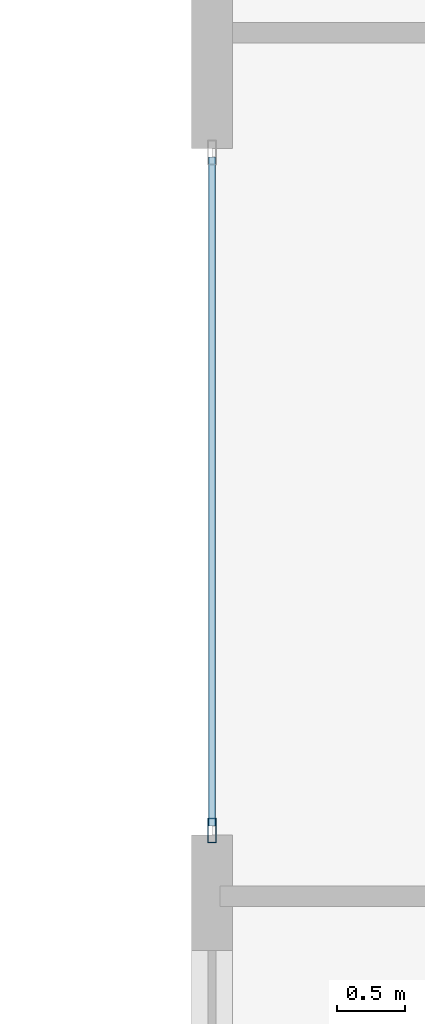
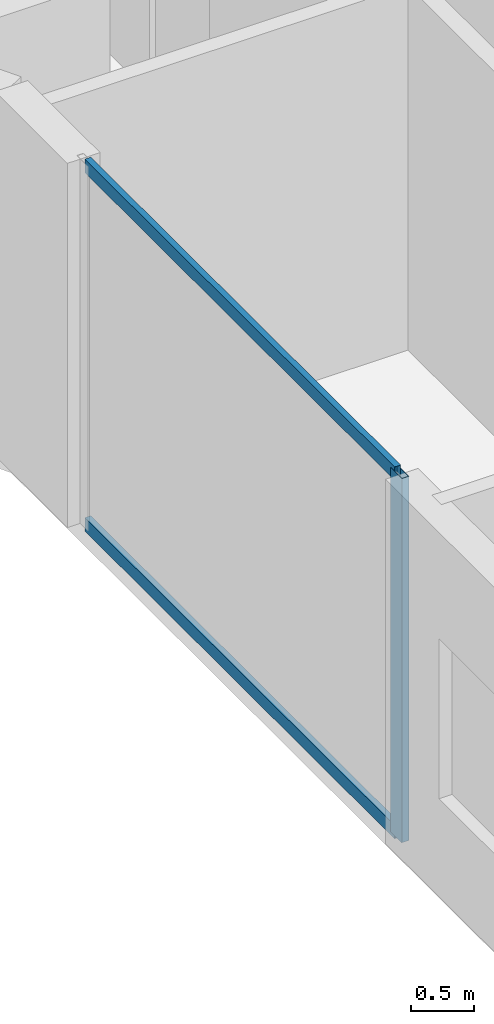
# One storey, part 4 of 32: 3 members, 1 element without a shape of its own.
"""IFC4 building model written with IfcOpenShell, lengths in metres."""

import ifcopenshell
import ifcopenshell.guid

model = None  # the IFC model being written
_history = None  # IfcOwnerHistory: only IFC2X3 demands one
_inside = {}  # id of a spatial element -> (the spatial element, [elements in it])
_under = {}  # id of a project, library or spatial element -> (it, [spatial elements below it])
_declared = {}  # id of a project -> (the project, [libraries it declares])
_typed = {}  # id of a type object -> (the type object, [elements of that type])
_made_of = {}  # id of a material, layer set ... -> (it, [elements and type objects made of it])


def new_model(schema):
    """Start an empty IFC model of exactly this schema.

    Asked for "IFC4X3", IfcOpenShell would pick the latest addendum, in which some entities
    have other attributes; the version numbers below select the first issue.
    IFC2X3 requires an IfcOwnerHistory on every rooted entity: one is made here for all.
    """
    global model, _history
    if schema == "IFC4X3":
        model = ifcopenshell.file(schema_version=(4, 3, 0, 0))
    else:
        model = ifcopenshell.file(schema=schema)
    _inside.clear()
    _under.clear()
    _declared.clear()
    _typed.clear()
    _made_of.clear()
    _history = None
    if model.schema == "IFC2X3":
        org = make("IfcOrganization", Name="unknown")
        user = make(
            "IfcPersonAndOrganization",
            ThePerson=make("IfcPerson", FamilyName="unknown"),
            TheOrganization=org,
        )
        app = make(
            "IfcApplication",
            ApplicationDeveloper=org,
            Version="unknown",
            ApplicationFullName="unknown",
            ApplicationIdentifier="unknown",
        )
        _history = make(
            "IfcOwnerHistory",
            OwningUser=user,
            OwningApplication=app,
            ChangeAction="ADDED",
            CreationDate=0,
        )
    return model


def make(cls, **values):
    """One entity of the class cls with the attributes given. An attribute that is None is left unset."""
    return model.create_entity(
        cls, **{name: value for name, value in values.items() if value is not None}
    )


def rooted(cls, **values):
    """An entity with a GlobalId (a new one), such as an element, a storey or a relation."""
    return make(cls, GlobalId=ifcopenshell.guid.new(), OwnerHistory=_history, **values)


def si_unit(unit_type, name, prefix=None):
    """IfcSIUnit, for example si_unit("LENGTHUNIT", "METRE", prefix="MILLI")."""
    return make("IfcSIUnit", UnitType=unit_type, Prefix=prefix, Name=name)


def assignment(units):
    """IfcUnitAssignment: the units of a project."""
    return None if units is None else make("IfcUnitAssignment", Units=units)


def point(xyz):
    """IfcCartesianPoint."""
    return None if xyz is None else make("IfcCartesianPoint", Coordinates=xyz)


def direction(xyz):
    """IfcDirection."""
    return None if xyz is None else make("IfcDirection", DirectionRatios=xyz)


def frame(location, z_axis=None, x_axis=None):
    """IfcAxis2Placement3D, a coordinate frame: its origin and axes. An axis left out is left unset."""
    return make(
        "IfcAxis2Placement3D",
        Location=point(location),
        Axis=direction(z_axis),
        RefDirection=direction(x_axis),
    )


def frame_2d(location, x_axis=None):
    """IfcAxis2Placement2D, a coordinate frame in the plane: its origin and x axis."""
    return make(
        "IfcAxis2Placement2D", Location=point(location), RefDirection=direction(x_axis)
    )


def origin():
    """The frame at (0, 0, 0) with its axes left unset."""
    return frame((0.0, 0.0, 0.0))


def origin_2d():
    """The frame at (0, 0) in the plane with its x axis left unset."""
    return frame_2d((0.0, 0.0))


def place(relative_to, where):
    """IfcLocalPlacement: puts the frame where relative to a parent placement (None: the world)."""
    return make(
        "IfcLocalPlacement", PlacementRelTo=relative_to, RelativePlacement=where
    )


def context(
    kind, dimensions, precision=None, world=None, true_north=None, identifier=None
):
    """IfcGeometricRepresentationContext, for example the 3D "Model" context."""
    return make(
        "IfcGeometricRepresentationContext",
        ContextIdentifier=identifier,
        ContextType=kind,
        CoordinateSpaceDimension=dimensions,
        Precision=precision,
        WorldCoordinateSystem=world,
        TrueNorth=true_north,
    )


def subcontext(parent, identifier, kind, view, scale=None):
    """IfcGeometricRepresentationSubContext, for example "Body" below "Model"."""
    return make(
        "IfcGeometricRepresentationSubContext",
        ContextIdentifier=identifier,
        ContextType=kind,
        ParentContext=parent,
        TargetScale=scale,
        TargetView=view,
    )


def project(units=None, contexts=None):
    """IfcProject with its units and contexts."""
    return rooted(
        "IfcProject",
        Name="project",
        RepresentationContexts=contexts,
        UnitsInContext=assignment(units),
    )


def spatial(cls, under=None, at=None, **own):
    """A site, building, storey or space (cls), placed at a placement, below another one or the project."""
    s = rooted(cls, ObjectPlacement=at, **own)
    if under is not None:
        _under.setdefault(under.id(), (under, []))[1].append(s)
    return s


def profile(cls, at=None, kind="AREA", **sizes):
    """A parametric profile (cls). Its sizes go by their IFC names, for example OverallWidth=200.0."""
    return make(cls, ProfileType=kind, Position=at, **sizes)


def hollow_rectangle(**sizes):
    """IfcRectangleHollowProfileDef."""
    return profile("IfcRectangleHollowProfileDef", **sizes)


def extrude(swept, where, along, depth):
    """IfcExtrudedAreaSolid: the profile swept, set in the frame where, extruded along a direction by depth."""
    return make(
        "IfcExtrudedAreaSolid",
        SweptArea=swept,
        Position=where,
        ExtrudedDirection=direction(along),
        Depth=depth,
    )


def shape(context_of_items, identifier, shape_type, items):
    """IfcShapeRepresentation: the items that make up one representation, for example the "Body"."""
    return make(
        "IfcShapeRepresentation",
        ContextOfItems=context_of_items,
        RepresentationIdentifier=identifier,
        RepresentationType=shape_type,
        Items=items,
    )


def material(Name=None, Category=None):
    """IfcMaterial."""
    return make("IfcMaterial", Name=Name, Category=Category)


def layer(
    of_material, thickness, ventilated=None, Name=None, Category=None, Priority=None
):
    """IfcMaterialLayer: one layer of a wall or slab, of a material (None: an air gap)."""
    return make(
        "IfcMaterialLayer",
        Material=of_material,
        LayerThickness=thickness,
        IsVentilated=ventilated,
        Name=Name,
        Category=Category,
        Priority=Priority,
    )


def layer_set(layers, Name=None):
    """IfcMaterialLayerSet."""
    return make("IfcMaterialLayerSet", MaterialLayers=layers, LayerSetName=Name)


def material_profile(
    of_material, cross_section, Name=None, Category=None, Priority=None
):
    """IfcMaterialProfile: a cross section and its material."""
    return make(
        "IfcMaterialProfile",
        Name=Name,
        Material=of_material,
        Profile=cross_section,
        Priority=Priority,
        Category=Category,
    )


def profile_set(profiles, Name=None, composite=None):
    """IfcMaterialProfileSet."""
    return make(
        "IfcMaterialProfileSet",
        Name=Name,
        MaterialProfiles=profiles,
        CompositeProfile=composite,
    )


def made_of(thing, what):
    """Note that an element or type object is made of a material, layer set ...; save() writes the relation."""
    if what is not None:
        _made_of.setdefault(what.id(), (what, []))[1].append(thing)
    return thing


def type_object(cls, material=None, **own):
    """A type object (cls), such as IfcWallType, which elements share."""
    return made_of(rooted(cls, **own), material)


def element(
    cls,
    number,
    at=None,
    inside=None,
    cuts=None,
    type_object=None,
    material=None,
    context=None,
    identifier="Body",
    shape_type=None,
    held_by="IfcProductDefinitionShape",
    body=None,
    shapes=None,
    **own,
):
    """One element of the class cls, such as IfcWall. Its Tag is "e" and its number.

    at: its placement. inside: the storey or other place that contains it. cuts: it is an
    opening in that element (IfcRelVoidsElement). A single representation is given by context,
    identifier, shape_type and body (its items); several are given by shapes. held_by: the class
    of the entity that holds the representations. save() writes the other relations.
    """
    e = rooted(cls, Tag="e%d" % number, ObjectPlacement=at, **own)
    if body is not None:
        shapes = [shape(context, identifier, shape_type, body)]
    if shapes is not None:
        e.Representation = make(held_by, Representations=shapes)
    if inside is not None:
        _inside.setdefault(inside.id(), (inside, []))[1].append(e)
    if cuts is not None:
        rooted(
            "IfcRelVoidsElement", RelatingBuildingElement=cuts, RelatedOpeningElement=e
        )
    if type_object is not None:
        _typed.setdefault(type_object.id(), (type_object, []))[1].append(e)
    return made_of(e, material)


def aggregate(whole, parts):
    """IfcRelAggregates: a whole, such as a stair, and the parts it consists of."""
    return rooted("IfcRelAggregates", RelatingObject=whole, RelatedObjects=parts)


def save(model, path):
    """Write the relations noted so far, then the file.

    IfcRelAggregates (storeys below a building ...), IfcRelContainedInSpatialStructure (elements
    in a storey), IfcRelDefinesByType, IfcRelAssociatesMaterial and IfcRelDeclares: one each for
    every whole, place, type object, material and project.
    """
    for whole, parts in _under.values():
        aggregate(whole, parts)
    for where, things in _inside.values():
        rooted(
            "IfcRelContainedInSpatialStructure",
            RelatedElements=things,
            RelatingStructure=where,
        )
    for kind, things in _typed.values():
        rooted("IfcRelDefinesByType", RelatedObjects=things, RelatingType=kind)
    for what, things in _made_of.values():
        rooted("IfcRelAssociatesMaterial", RelatedObjects=things, RelatingMaterial=what)
    for by, libraries in _declared.values():
        rooted("IfcRelDeclares", RelatingContext=by, RelatedDefinitions=libraries)
    model.write(path)


model = new_model("IFC4")

# Units and contexts
model_context = context("Model", 3, precision=1e-05, world=origin(), true_north=direction((0.0, 1.0)))
body_context = subcontext(model_context, "Body", "Model", "MODEL_VIEW")
ifc_project = project(units=[si_unit("LENGTHUNIT", "METRE"), si_unit("AREAUNIT", "SQUARE_METRE"), si_unit("VOLUMEUNIT", "CUBIC_METRE"), si_unit("PLANEANGLEUNIT", "RADIAN"), si_unit("MASSUNIT", "GRAM", prefix="KILO")], contexts=[model_context])

# Site, building, storey
site_placement = place(None, origin())
site = spatial("IfcSite", under=ifc_project, at=site_placement, CompositionType="ELEMENT")
building_placement = place(site_placement, origin())
building = spatial("IfcBuilding", under=site, at=building_placement, Name="Zuhayl Quay Hotel", CompositionType="ELEMENT")
storey_placement = place(building_placement, frame((0.0, 0.0, 203.64990234375)))
storey = spatial("IfcBuildingStorey", under=building, at=storey_placement, Name="L51", CompositionType="ELEMENT", Elevation=203.64990234375)

# Curtain wall, members
ifc_material_1 = material(Name="Anodised Aluminium 6063-T6", Category="aluminium")
ifc_layer = layer(ifc_material_1, 0.175048828125, Name="Anodised Aluminium 6063-T6", Category="aluminium")
ifc_layer_set = layer_set([ifc_layer], Name="Anodised Aluminium 6063-T6")
curtain_wall_type = type_object("IfcCurtainWallType", Name="CW_SYS_Z3", PredefinedType="USERDEFINED", material=ifc_layer_set)
curtain_wall_placement = place(storey_placement, origin())
curtain_wall = element("IfcCurtainWall", 1, at=curtain_wall_placement, inside=storey, type_object=curtain_wall_type, Name="L51 Curtain Wall ENV_L51_E02_CW1", ObjectType="UNITISED CURTAIN WALL", PredefinedType="USERDEFINED")
ifc_material_2 = material(Name="Black-anodised aluminium 6063-T6", Category="aluminium")
ifc_material_profile_1 = material_profile(ifc_material_2, hollow_rectangle(XDim=0.06494140625, YDim=0.179931640625, WallThickness=0.00341796875, at=origin_2d()), Name="ALU180X65")
ifc_profile_set_1 = profile_set([ifc_material_profile_1], Name="Black-anodised aluminium 6063-T6")
member_type_1 = type_object("IfcMemberType", Name="MB_CW_MUL_180", PredefinedType="MULLION", material=ifc_profile_set_1)
member_1_placement = place(storey_placement, frame((-22.10009765625, 2.032470703125, 0.0), z_axis=(0.0, 0.0, 1.0), x_axis=(-1.0, 0.0, 0.0)))
member_1 = element("IfcMember", 2, at=member_1_placement, type_object=member_type_1, Name="CW-Z3 mullion 1", PredefinedType="MULLION", context=body_context, shape_type="SweptSolid", body=[
    extrude(hollow_rectangle(XDim=0.06494140625, YDim=0.179931640625, WallThickness=0.00341796875, at=origin_2d()), origin(), (0.0, 0.0, 1.0), 3.530029296875),
])
ifc_material_profile_2 = material_profile(ifc_material_2, hollow_rectangle(XDim=0.054931640625, YDim=0.1298828125, WallThickness=0.0029296875, at=origin_2d()), Name="ALU130X55")
ifc_profile_set_2 = profile_set([ifc_material_profile_2], Name="Black-anodised aluminium 6063-T6")
member_type_2 = type_object("IfcMemberType", Name="MB_CW_TRN_130", PredefinedType="USERDEFINED", material=ifc_profile_set_2)
member_2_placement = place(storey_placement, frame((-22.10009765625, 2.06494140625, 0.027587890625), z_axis=(0.0, 1.0, 0.0), x_axis=(-1.0, 0.0, 0.0)))
member_2 = element("IfcMember", 3, at=member_2_placement, type_object=member_type_2, Name="CW-Z3 transom 1.1", ObjectType="TRANSOM", PredefinedType="USERDEFINED", context=body_context, shape_type="SweptSolid", body=[
    extrude(hollow_rectangle(XDim=0.054931640625, YDim=0.1298828125, WallThickness=0.0029296875, at=origin_2d()), origin(), (0.0, 0.0, 1.0), 4.920166015625),
])
member_3_placement = place(storey_placement, frame((-22.10009765625, 2.06494140625, 3.502685546875), z_axis=(0.0, 1.0, 0.0), x_axis=(-1.0, 0.0, 0.0)))
member_3 = element("IfcMember", 4, at=member_3_placement, type_object=member_type_2, Name="CW-Z3 transom 1.2", ObjectType="TRANSOM", PredefinedType="USERDEFINED", context=body_context, shape_type="SweptSolid", body=[
    extrude(hollow_rectangle(XDim=0.054931640625, YDim=0.1298828125, WallThickness=0.0029296875, at=origin_2d()), origin(), (0.0, 0.0, 1.0), 4.920166015625),
])
aggregate(curtain_wall, [member_1, member_2, member_3])

save(model, "model.ifc")
